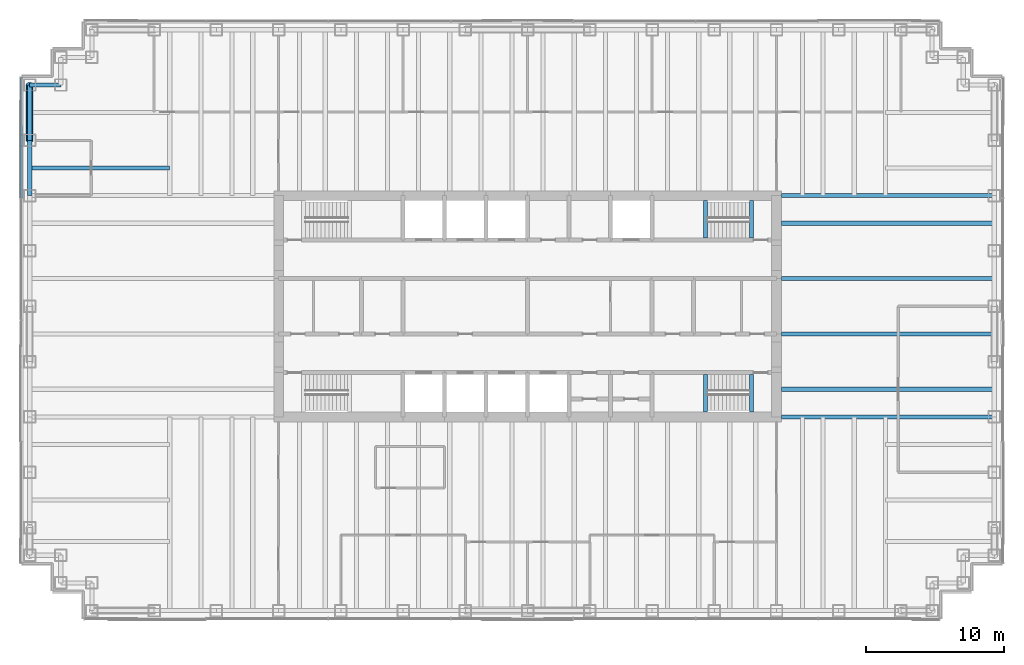
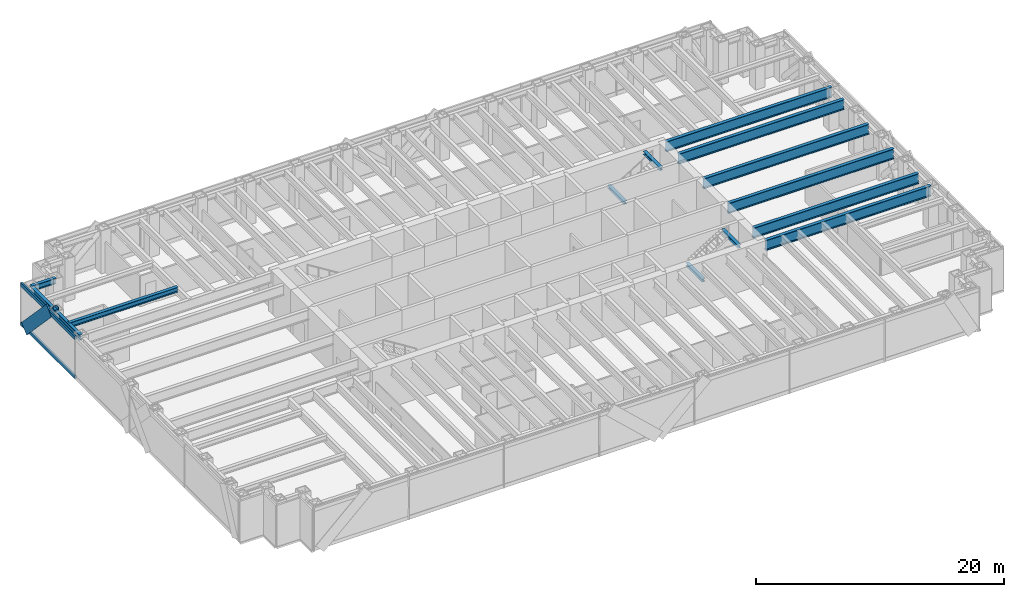
# One storey, part 5 of 15: 14 beams, 4 members, 1 element without a shape of its own.
"""IFC4 building model written with IfcOpenShell, lengths in metres."""

from ifc_helpers import new_model, si_unit, direction, frame, origin, origin_2d, place, context, subcontext, project, spatial, rectangle, hollow_circle, i_section, extrude, material, material_profile, profile_set, type_object, element, aggregate, save


model = new_model("IFC4")

# Units and contexts
model_context = context("Model", 3, precision=1e-05, world=origin(), true_north=direction((0.0, 1.0)))
body_context = subcontext(model_context, "Body", "Model", "MODEL_VIEW")
ifc_project = project(units=[si_unit("LENGTHUNIT", "METRE"), si_unit("AREAUNIT", "SQUARE_METRE"), si_unit("VOLUMEUNIT", "CUBIC_METRE"), si_unit("PLANEANGLEUNIT", "RADIAN"), si_unit("MASSUNIT", "GRAM", prefix="KILO")], contexts=[model_context])

# Site, building, storey
site_placement = place(None, origin())
site = spatial("IfcSite", under=ifc_project, at=site_placement, CompositionType="ELEMENT")
building_placement = place(site_placement, origin())
building = spatial("IfcBuilding", under=site, at=building_placement, Name="Rheinbord Bourse Tower", CompositionType="ELEMENT")
storey_placement = place(building_placement, frame((0.0, 0.0, 275.300048828125)))
storey = spatial("IfcBuildingStorey", under=building, at=storey_placement, Name="L62", CompositionType="ELEMENT", Elevation=275.300048828125)

# Curtain wall, members
ifc_material_1 = material(Name="Dark glass and black aluminium", Category="aluminium")
curtain_wall_type = type_object("IfcCurtainWallType", Name="CW3 DARK GLASS CURTAIN WALL", PredefinedType="USERDEFINED", material=ifc_material_1)
curtain_wall_placement = place(storey_placement, origin())
curtain_wall = element("IfcCurtainWall", 1, at=curtain_wall_placement, inside=storey, type_object=curtain_wall_type, Name="Curtain wall CW3 W L62", ObjectType="UNITISED CURTAIN WALL", PredefinedType="USERDEFINED")
ifc_material_2 = material(Name="Black anodised aluminium", Category="aluminium")
ifc_material_profile_1 = material_profile(ifc_material_2, rectangle(XDim=0.14990234375, YDim=1.10791015625, at=origin_2d()), Name="CW3 DIAGONAL MULLION 1108x150")
ifc_profile_set_1 = profile_set([ifc_material_profile_1], Name="Black anodised aluminium")
member_type_1 = type_object("IfcMemberType", Name="CW3 BLACK DIAGONAL MULLION", PredefinedType="USERDEFINED", material=ifc_profile_set_1)
member_1_placement = place(storey_placement, frame((-0.60009765625, 40.0, 0.0), z_axis=(0.0, -0.689659376744, 0.724133926887), x_axis=(1.0, 0.0, 0.0)))
member_1 = element("IfcMember", 2, at=member_1_placement, type_object=member_type_1, Name="CW3 diagonal mullion a", ObjectType="DIAGONAL MULLION", PredefinedType="USERDEFINED", context=body_context, shape_type="SweptSolid", body=[
    extrude(rectangle(XDim=0.14990234375, YDim=1.10791015625, at=origin_2d()), origin(), (0.0, 0.0, 1.0), 5.800048828125),
])
ifc_material_3 = material(Name="Black anodised aluminium", Category="aluminium")
ifc_material_profile_2 = material_profile(ifc_material_3, rectangle(XDim=0.14990234375, YDim=0.35009765625, at=origin_2d()), Name="CW3 TRANSOM 350x150")
ifc_profile_set_2 = profile_set([ifc_material_profile_2], Name="Black anodised aluminium")
member_type_2 = type_object("IfcMemberType", Name="CW3 BLACK TRANSOM", PredefinedType="USERDEFINED", material=ifc_profile_set_2)
member_2_placement = place(storey_placement, frame((-0.60009765625, 40.534912109375, 0.175048828125), z_axis=(0.0, -1.0, 0.0), x_axis=(1.0, 0.0, 0.0)))
member_2 = element("IfcMember", 3, at=member_2_placement, type_object=member_type_2, Name="CW3 transom 1.1", ObjectType="TRANSOM", PredefinedType="USERDEFINED", context=body_context, shape_type="SweptSolid", body=[
    extrude(rectangle(XDim=0.14990234375, YDim=0.35009765625, at=origin_2d()), origin(), (0.0, 0.0, 1.0), 8.702392578125),
])
member_3_placement = place(storey_placement, frame((-0.60009765625, 40.534912109375, 4.02490234375), z_axis=(0.0, -1.0, 0.0), x_axis=(1.0, 0.0, 0.0)))
member_3 = element("IfcMember", 4, at=member_3_placement, type_object=member_type_2, Name="CW3 transom 1.2", ObjectType="TRANSOM", PredefinedType="USERDEFINED", context=body_context, shape_type="SweptSolid", body=[
    extrude(rectangle(XDim=0.14990234375, YDim=0.35009765625, at=origin_2d()), origin(), (0.0, 0.0, 1.0), 8.702392578125),
])
aggregate(curtain_wall, [member_2, member_3, member_1])

# Beams
ifc_material_4 = material(Name="Steel S460", Category="steel")
ifc_material_profile_3 = material_profile(ifc_material_4, i_section(OverallWidth=0.302001953125, OverallDepth=1.008056640625, WebThickness=0.02099609375, FlangeThickness=0.0400390625, at=origin_2d()), Name="HEM 1000")
ifc_profile_set_3 = profile_set([ifc_material_profile_3], Name="Steel S460")
beam_type_1 = type_object("IfcBeamType", Name="END BEAM HEM 1000", PredefinedType="BEAM", material=ifc_profile_set_3)
for number, where, z_axis, x_axis, name in (
    (5, (54.35009765625, 18.0, 3.535888671875), (1.0, 0.0, 0.0), (0.0, 1.0, 0.0), "End beam east 18 L63"),
    (6, (54.35009765625, 22.0, 3.535888671875), (1.0, 0.0, 0.0), (0.0, 1.0, 0.0), "End beam east 22 L63"),
    (7, (54.35009765625, 26.0, 3.535888671875), (1.0, 0.0, 0.0), (0.0, 1.0, 0.0), "End beam east 26 L63"),
    (8, (54.35009765625, 30.0, 3.535888671875), (1.0, 0.0, 0.0), (0.0, 1.0, 0.0), "End beam east 30 L63"),
):
    element("IfcBeam", number, at=place(storey_placement, frame(where, z_axis=z_axis, x_axis=x_axis)), inside=storey, type_object=beam_type_1, Name=name, PredefinedType="BEAM", context=body_context, shape_type="SweptSolid", body=[
        extrude(i_section(OverallWidth=0.302001953125, OverallDepth=1.008056640625, WebThickness=0.02099609375, FlangeThickness=0.0400390625, at=origin_2d()), origin(), (0.0, 0.0, 1.0), 15.39990234375),
    ])
ifc_material_5 = material(Name="Steel S460", Category="steel")
ifc_material_profile_4 = material_profile(ifc_material_5, i_section(OverallWidth=0.302001953125, OverallDepth=1.008056640625, WebThickness=0.02099609375, FlangeThickness=0.0400390625, at=origin_2d()), Name="HEM 1000")
ifc_profile_set_4 = profile_set([ifc_material_profile_4], Name="Steel S460")
beam_type_2 = type_object("IfcBeamType", Name="GIRDER HEM 1000", PredefinedType="BEAM", material=ifc_profile_set_4)
for number, where, z_axis, x_axis, name in (
    (9, (54.35009765625, 16.0, 3.535888671875), (1.0, 0.0, 0.0), (0.0, 1.0, 0.0), "Girder east 16 L63"),
    (10, (54.35009765625, 32.0, 3.535888671875), (1.0, 0.0, 0.0), (0.0, 1.0, 0.0), "Girder east 32 L63"),
):
    element("IfcBeam", number, at=place(storey_placement, frame(where, z_axis=z_axis, x_axis=x_axis)), inside=storey, type_object=beam_type_2, Name=name, PredefinedType="BEAM", context=body_context, shape_type="SweptSolid", body=[
        extrude(i_section(OverallWidth=0.302001953125, OverallDepth=1.008056640625, WebThickness=0.02099609375, FlangeThickness=0.0400390625, at=origin_2d()), origin(), (0.0, 0.0, 1.0), 15.39990234375),
    ])
ifc_material_6 = material(Name="Steel S460", Category="steel")
ifc_material_profile_5 = material_profile(ifc_material_6, i_section(OverallWidth=0.300048828125, OverallDepth=0.300048828125, WebThickness=0.010986328125, FlangeThickness=0.01904296875, at=origin_2d()), Name="HEB 300")
ifc_profile_set_5 = profile_set([ifc_material_profile_5], Name="Steel S460")
beam_type_3 = type_object("IfcBeamType", Name="LANDING TRIMMER HEB 300", PredefinedType="BEAM", material=ifc_profile_set_5)
for number, where, z_axis, x_axis, name in (
    (11, (48.8701171875, 16.35009765625, 1.75), (0.0, 1.0, 0.0), (-1.0, 0.0, 0.0), "Landing trimmer ST3 L62"),
    (12, (52.199951171875, 16.35009765625, 3.889892578125), (0.0, 1.0, 0.0), (-1.0, 0.0, 0.0), "Well trimmer ST3 under L63"),
    (13, (48.8701171875, 28.949951171875, 1.75), (0.0, 1.0, 0.0), (-1.0, 0.0, 0.0), "Landing trimmer ST4 L62"),
    (14, (52.199951171875, 28.949951171875, 3.889892578125), (0.0, 1.0, 0.0), (-1.0, 0.0, 0.0), "Well trimmer ST4 under L63"),
):
    element("IfcBeam", number, at=place(storey_placement, frame(where, z_axis=z_axis, x_axis=x_axis)), inside=storey, type_object=beam_type_3, Name=name, PredefinedType="BEAM", context=body_context, shape_type="SweptSolid", body=[
        extrude(i_section(OverallWidth=0.300048828125, OverallDepth=0.300048828125, WebThickness=0.010986328125, FlangeThickness=0.01904296875, at=origin_2d()), origin(), (0.0, 0.0, 1.0), 2.699951171875),
    ])

# Member
ifc_material_7 = material(Name="Steel S460", Category="steel")
ifc_material_profile_6 = material_profile(ifc_material_7, hollow_circle(Radius=0.25390625, WallThickness=0.030029296875, at=origin_2d()), Name="CHS 508x30")
ifc_profile_set_6 = profile_set([ifc_material_profile_6], Name="Steel S460")
member_type_3 = type_object("IfcMemberType", Name="MEGABRACE CHS 508x30", PredefinedType="BRACE", material=ifc_profile_set_6)
member_4_placement = place(storey_placement, frame((0.0, 40.0, 0.0), z_axis=(0.0, -0.689659376744, 0.724133926887), x_axis=(1.0, 0.0, 0.0)))
element("IfcMember", 15, at=member_4_placement, inside=storey, type_object=member_type_3, Name="Megabrace W face line a L62", PredefinedType="BRACE", context=body_context, shape_type="SweptSolid", body=[
    extrude(hollow_circle(Radius=0.25390625, WallThickness=0.030029296875, at=origin_2d()), origin(), (0.0, 0.0, 1.0), 5.800048828125),
])

# Beams
ifc_material_8 = material(Name="Steel S460", Category="steel")
ifc_material_profile_7 = material_profile(ifc_material_8, i_section(OverallWidth=0.300048828125, OverallDepth=0.550048828125, WebThickness=0.014892578125, FlangeThickness=0.029052734375, at=origin_2d()), Name="HEB 550")
ifc_profile_set_7 = profile_set([ifc_material_profile_7], Name="Steel S460")
beam_type_4 = type_object("IfcBeamType", Name="SPANDREL HEB 550", PredefinedType="SPANDREL", material=ifc_profile_set_7)
beam_1_placement = place(storey_placement, frame((2.25, 40.0, 3.764892578125), z_axis=(-1.0, 0.0, 0.0), x_axis=(0.0, -1.0, 0.0)))
element("IfcBeam", 16, at=beam_1_placement, inside=storey, type_object=beam_type_4, Name="Spandrel NW-B-NW-A under L63", PredefinedType="SPANDREL", context=body_context, shape_type="SweptSolid", body=[
    extrude(i_section(OverallWidth=0.300048828125, OverallDepth=0.550048828125, WebThickness=0.014892578125, FlangeThickness=0.029052734375, at=origin_2d()), origin(), (0.0, 0.0, 1.0), 2.25),
])
for number, where, z_axis, x_axis, name in (
    (17, (0.0, 40.0, 3.764892578125), (0.0, -1.0, 0.0), (1.0, 0.0, 0.0), "Spandrel NW-A-W-36 under L63"),
    (18, (0.0, 36.0, 3.764892578125), (0.0, -1.0, 0.0), (1.0, 0.0, 0.0), "Spandrel W-36-W-32 under L63"),
):
    element("IfcBeam", number, at=place(storey_placement, frame(where, z_axis=z_axis, x_axis=x_axis)), inside=storey, type_object=beam_type_4, Name=name, PredefinedType="SPANDREL", context=body_context, shape_type="SweptSolid", body=[
        extrude(i_section(OverallWidth=0.300048828125, OverallDepth=0.550048828125, WebThickness=0.014892578125, FlangeThickness=0.029052734375, at=origin_2d()), origin(), (0.0, 0.0, 1.0), 4.0),
    ])
ifc_material_9 = material(Name="Steel S460", Category="steel")
ifc_material_profile_8 = material_profile(ifc_material_9, i_section(OverallWidth=0.300048828125, OverallDepth=0.5, WebThickness=0.014404296875, FlangeThickness=0.028076171875, at=origin_2d()), Name="HEB 500")
ifc_profile_set_8 = profile_set([ifc_material_profile_8], Name="Steel S460")
beam_type_5 = type_object("IfcBeamType", Name="TIE BEAM HEB 500", PredefinedType="JOIST", material=ifc_profile_set_8)
beam_2_placement = place(storey_placement, frame((0.0, 34.0, 3.7900390625), z_axis=(1.0, 0.0, 0.0), x_axis=(0.0, 1.0, 0.0)))
element("IfcBeam", 19, at=beam_2_placement, inside=storey, type_object=beam_type_5, Name="Tie west 34 L63", PredefinedType="JOIST", context=body_context, shape_type="SweptSolid", body=[
    extrude(i_section(OverallWidth=0.300048828125, OverallDepth=0.5, WebThickness=0.014404296875, FlangeThickness=0.028076171875, at=origin_2d()), origin(), (0.0, 0.0, 1.0), 10.125),
])

save(model, "model.ifc")
